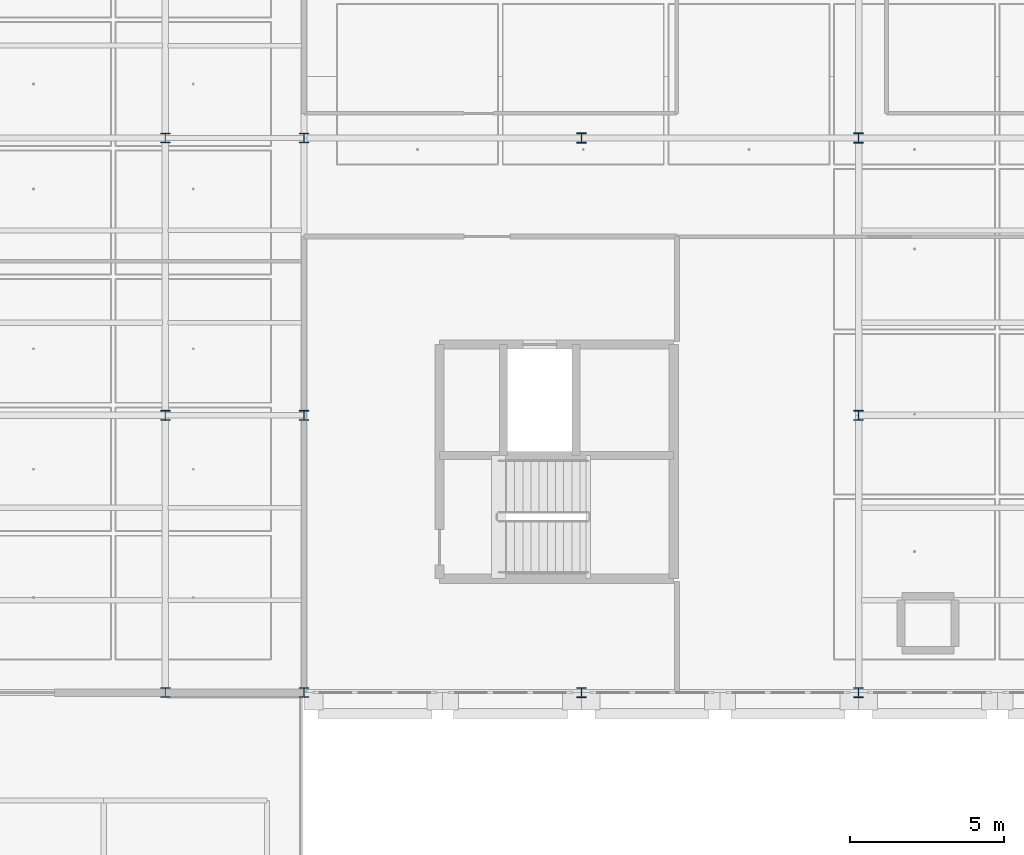
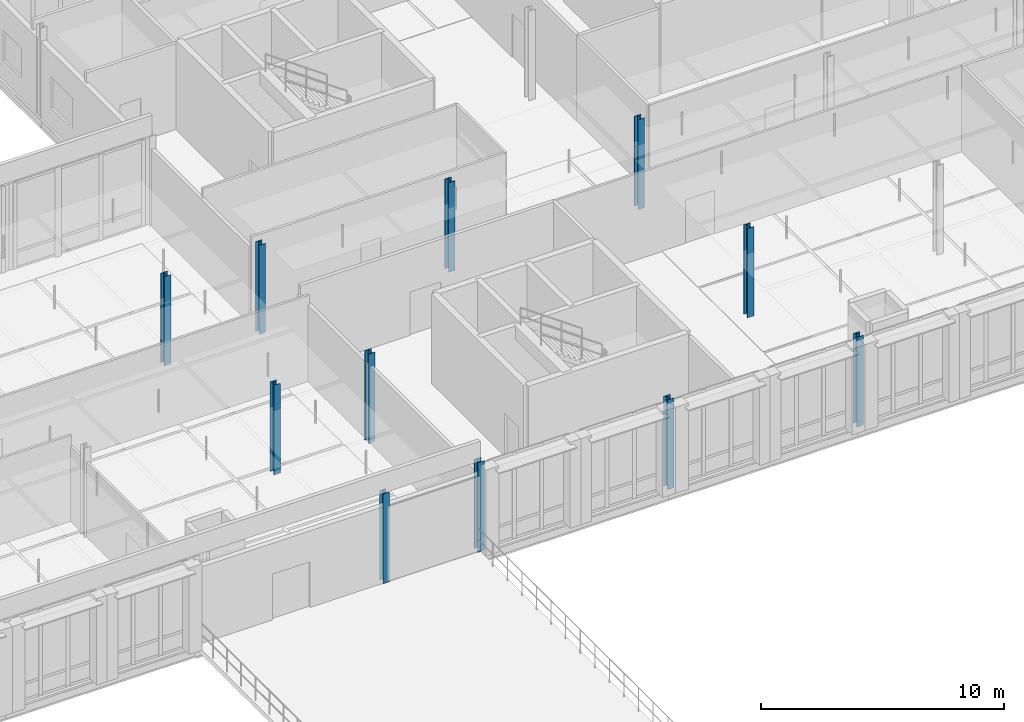
# One storey, part 11 of 89: 11 columns.
"""IFC4 building model written with IfcOpenShell, lengths in metres."""

from ifc_helpers import new_model, si_unit, direction, frame, origin, origin_2d, place, context, subcontext, project, spatial, i_section, extrude, material, material_profile, profile_set, type_object, element, save


model = new_model("IFC4")

# Units and contexts
model_context = context("Model", 3, precision=1e-05, world=origin(), true_north=direction((0.0, 1.0)))
body_context = subcontext(model_context, "Body", "Model", "MODEL_VIEW")
ifc_project = project(units=[si_unit("LENGTHUNIT", "METRE"), si_unit("AREAUNIT", "SQUARE_METRE"), si_unit("VOLUMEUNIT", "CUBIC_METRE"), si_unit("PLANEANGLEUNIT", "RADIAN"), si_unit("MASSUNIT", "GRAM", prefix="KILO"), si_unit("THERMODYNAMICTEMPERATUREUNIT", "KELVIN"), si_unit("POWERUNIT", "WATT")], contexts=[model_context])

# Site, building, storey
site_placement = place(None, origin())
site = spatial("IfcSite", under=ifc_project, at=site_placement, CompositionType="ELEMENT")
building_placement = place(site_placement, origin())
building = spatial("IfcBuilding", under=site, at=building_placement, Name="Tallowbark Science Centre", CompositionType="ELEMENT")
storey_placement = place(building_placement, frame((0.0, 0.0, 14.39990234375)))
storey = spatial("IfcBuildingStorey", under=building, at=storey_placement, Name="L03", CompositionType="ELEMENT", Elevation=14.39990234375)

# Columns
ifc_material = material(Name="Structural Steel Grade 300PLUS (300 MPa)", Category="steel")
ifc_material_profile_1 = material_profile(ifc_material, i_section(OverallWidth=0.311279296875, OverallDepth=0.3271484375, WebThickness=0.015625, FlangeThickness=0.02490234375, FilletRadius=0.0166015625, at=origin_2d()), Name="310UC158")
ifc_profile_set_1 = profile_set([ifc_material_profile_1], Name="Structural Steel Grade 300PLUS (300 MPa)")
column_type_1 = type_object("IfcColumnType", Name="COL-UC310A", PredefinedType="COLUMN", material=ifc_profile_set_1)
for number, where, z_axis, x_axis, name in (
    (1, (121.5, 72.0, 0.0), (0.0, 0.0, 1.0), (1.0, 0.0, 0.0), "Column OBS-1_0 L03"),
    (2, (121.5, 90.0, 0.0), (0.0, 0.0, 1.0), (1.0, 0.0, 0.0), "Column OBS-1_2 L03"),
    (3, (130.5, 72.0, 0.0), (0.0, 0.0, 1.0), (1.0, 0.0, 0.0), "Column OBS-2_0 L03"),
    (4, (130.5, 81.0, 0.0), (0.0, 0.0, 1.0), (1.0, 0.0, 0.0), "Column OBS-2_1 L03"),
    (5, (130.5, 90.0, 0.0), (0.0, 0.0, 1.0), (1.0, 0.0, 0.0), "Column OBS-2_2 L03"),
):
    element("IfcColumn", number, at=place(storey_placement, frame(where, z_axis=z_axis, x_axis=x_axis)), inside=storey, type_object=column_type_1, Name=name, PredefinedType="COLUMN", context=body_context, shape_type="SweptSolid", body=[
        extrude(i_section(OverallWidth=0.311279296875, OverallDepth=0.3271484375, WebThickness=0.015625, FlangeThickness=0.02490234375, FilletRadius=0.0166015625, at=origin_2d()), origin(), (0.0, 0.0, 1.0), 4.5),
    ])
ifc_material_profile_2 = material_profile(ifc_material, i_section(OverallWidth=0.307373046875, OverallDepth=0.314697265625, WebThickness=0.011962890625, FlangeThickness=0.018798828125, FilletRadius=0.0166015625, at=origin_2d()), Name="310UC118")
ifc_profile_set_2 = profile_set([ifc_material_profile_2], Name="Structural Steel Grade 300PLUS (300 MPa)")
column_type_2 = type_object("IfcColumnType", Name="COL-UC310C", PredefinedType="COLUMN", material=ifc_profile_set_2)
for number, where, z_axis, x_axis, name in (
    (6, (108.0, 72.0, 0.0), (0.0, 0.0, 1.0), (1.0, 0.0, 0.0), "Column LAB-7_0 L03"),
    (7, (108.0, 81.0, 0.0), (0.0, 0.0, 1.0), (1.0, 0.0, 0.0), "Column LAB-7_1 L03"),
    (8, (108.0, 90.0, 0.0), (0.0, 0.0, 1.0), (1.0, 0.0, 0.0), "Column LAB-7_2 L03"),
    (9, (112.5, 72.0, 0.0), (0.0, 0.0, 1.0), (1.0, 0.0, 0.0), "Column LAB-8_0 L03"),
    (10, (112.5, 81.0, 0.0), (0.0, 0.0, 1.0), (1.0, 0.0, 0.0), "Column LAB-8_1 L03"),
    (11, (112.5, 90.0, 0.0), (0.0, 0.0, 1.0), (1.0, 0.0, 0.0), "Column LAB-8_2 L03"),
):
    element("IfcColumn", number, at=place(storey_placement, frame(where, z_axis=z_axis, x_axis=x_axis)), inside=storey, type_object=column_type_2, Name=name, PredefinedType="COLUMN", context=body_context, shape_type="SweptSolid", body=[
        extrude(i_section(OverallWidth=0.307373046875, OverallDepth=0.314697265625, WebThickness=0.011962890625, FlangeThickness=0.018798828125, FilletRadius=0.0166015625, at=origin_2d()), origin(), (0.0, 0.0, 1.0), 4.5),
    ])

save(model, "model.ifc")
